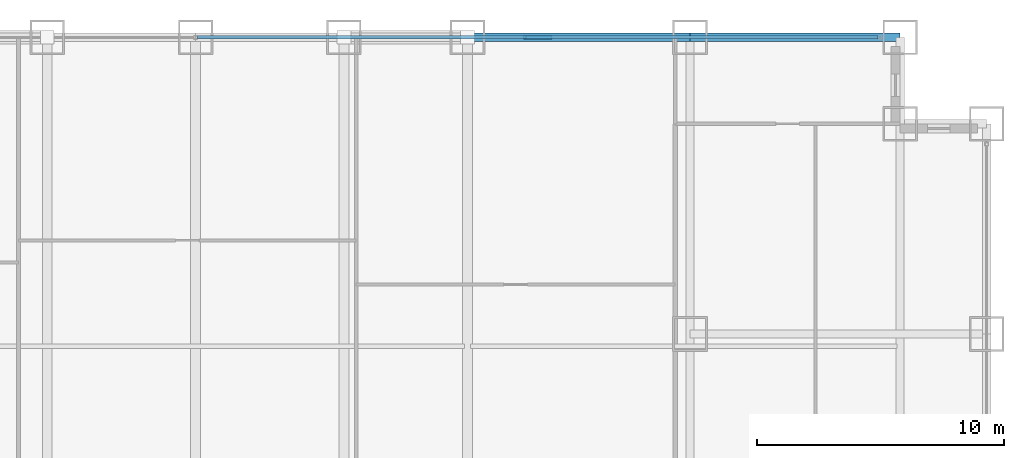
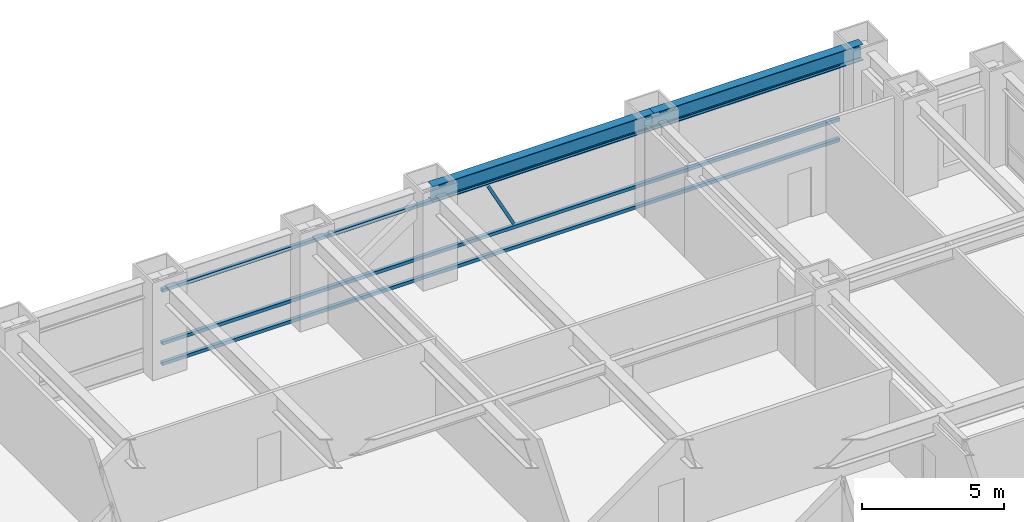
# One storey, part 20 of 28: 4 members, 2 beams, 1 element without a shape of its own.
"""IFC4 building model written with IfcOpenShell, lengths in metres."""

from ifc_helpers import new_model, si_unit, direction, frame, origin, origin_2d, place, context, subcontext, project, spatial, hollow_rectangle, i_section, extrude, source, transform, mapped, material, material_profile, profile_set, type_object, element, aggregate, save


model = new_model("IFC4")

# Units and contexts
model_context = context("Model", 3, precision=1e-05, world=origin(), true_north=direction((0.0, 1.0)))
body_context = subcontext(model_context, "Body", "Model", "MODEL_VIEW")
ifc_project = project(units=[si_unit("LENGTHUNIT", "METRE"), si_unit("AREAUNIT", "SQUARE_METRE"), si_unit("VOLUMEUNIT", "CUBIC_METRE"), si_unit("PLANEANGLEUNIT", "RADIAN"), si_unit("MASSUNIT", "GRAM", prefix="KILO")], contexts=[model_context])

# Site, building, storey
site_placement = place(None, origin())
site = spatial("IfcSite", under=ifc_project, at=site_placement, CompositionType="ELEMENT")
building_placement = place(site_placement, origin())
building = spatial("IfcBuilding", under=site, at=building_placement, Name="Khorayat Bourse Tower", CompositionType="ELEMENT")
storey_placement = place(building_placement, frame((0.0, 0.0, 83.0)))
storey = spatial("IfcBuildingStorey", under=building, at=storey_placement, Name="L18", CompositionType="ELEMENT", Elevation=83.0)

# Beams
ifc_material_1 = material(Name="Steel ASTM A992 Grade 50", Category="steel")
ifc_material_profile_1 = material_profile(ifc_material_1, i_section(OverallWidth=0.35498046875, OverallDepth=0.695068359375, WebThickness=0.015380859375, FlangeThickness=0.02490234375, FilletRadius=0.01806640625, at=origin_2d()), Name="W690X217")
ifc_profile_set_1 = profile_set([ifc_material_profile_1], Name="Steel ASTM A992 Grade 50")
beam_type = type_object("IfcBeamType", Name="BM-SPAN-690", PredefinedType="SPANDREL", material=ifc_profile_set_1)
shared_shape_1 = source(origin(), body_context, "Body", "SweptSolid", [
    extrude(i_section(OverallWidth=0.35498046875, OverallDepth=0.695068359375, WebThickness=0.015380859375, FlangeThickness=0.02490234375, FilletRadius=0.01806640625, at=origin_2d()), origin(), (0.0, 0.0, 1.0), 8.5),
])
beam_1_placement = place(storey_placement, frame((20.0, 32.0, 3.592529296875), z_axis=(1.0, 0.0, 0.0), x_axis=(0.0, 1.0, 0.0)))
element("IfcBeam", 1, at=beam_1_placement, inside=storey, type_object=beam_type, Name="L18 BM-SPAN-690 BM-L18-SPN-044", PredefinedType="SPANDREL", context=body_context, shape_type="MappedRepresentation", body=[
    mapped(shared_shape_1, transform((0.0, 0.0, 0.0), scale=1.0)),
])
shared_shape_2 = source(origin(), body_context, "Body", "SweptSolid", [
    extrude(i_section(OverallWidth=0.35498046875, OverallDepth=0.695068359375, WebThickness=0.015380859375, FlangeThickness=0.02490234375, FilletRadius=0.01806640625, at=origin_2d()), origin(), (0.0, 0.0, 1.0), 9.0),
])
beam_2_placement = place(storey_placement, frame((11.0, 32.0, 3.592529296875), z_axis=(1.0, 0.0, 0.0), x_axis=(0.0, 1.0, 0.0)))
element("IfcBeam", 2, at=beam_2_placement, inside=storey, type_object=beam_type, Name="L18 BM-SPAN-690 BM-L18-SPN-045", PredefinedType="SPANDREL", context=body_context, shape_type="MappedRepresentation", body=[
    mapped(shared_shape_2, transform((0.0, 0.0, 0.0), scale=1.0)),
])

# Curtain wall, members
ifc_material_2 = material(Name="Aluminium EN AW-6063 T6", Category="aluminium")
curtain_wall_type = type_object("IfcCurtainWallType", Name="CW-SYS-02", PredefinedType="NOTDEFINED", material=ifc_material_2)
curtain_wall_placement = place(storey_placement, origin())
curtain_wall = element("IfcCurtainWall", 3, at=curtain_wall_placement, inside=storey, type_object=curtain_wall_type, Name="L18 Curtain Wall CW-L18-N1", PredefinedType="NOTDEFINED")
ifc_material_profile_2 = material_profile(ifc_material_2, hollow_rectangle(XDim=0.1201171875, YDim=0.1201171875, WallThickness=0.0048828125, at=origin_2d()), Name="ALU 120x120x5")
ifc_profile_set_2 = profile_set([ifc_material_profile_2], Name="Aluminium EN AW-6063 T6")
member_type_1 = type_object("IfcMemberType", Name="CWM-DIAG-120", PredefinedType="MULLION", material=ifc_profile_set_2)
shared_shape_3 = source(origin(), body_context, "Body", "SweptSolid", [
    extrude(hollow_rectangle(XDim=0.1201171875, YDim=0.1201171875, WallThickness=0.0048828125, at=origin_2d()), origin(), (0.0, 0.0, 1.0), 2.22607421875),
])
member_1_placement = place(storey_placement, frame((14.3583984375, 32.0, 1.10009765625), z_axis=(-0.465759992596, 0.0, 0.884911085532), x_axis=(0.0, -1.0, 0.0)))
member_1 = element("IfcMember", 4, at=member_1_placement, type_object=member_type_1, Name="CW-L18-N1 Faceted Diagonal Mullion 2", PredefinedType="MULLION", context=body_context, shape_type="MappedRepresentation", body=[
    mapped(shared_shape_3, transform((0.0, 0.0, 0.0), scale=1.0)),
])
ifc_material_profile_3 = material_profile(ifc_material_2, hollow_rectangle(XDim=0.139892578125, YDim=0.139892578125, WallThickness=0.006103515625, at=origin_2d()), Name="ALU 140x140x6")
ifc_profile_set_3 = profile_set([ifc_material_profile_3], Name="Aluminium EN AW-6063 T6")
member_type_2 = type_object("IfcMemberType", Name="CWT-HORZ-140", PredefinedType="USERDEFINED", material=ifc_profile_set_3)
shared_shape_4 = source(origin(), body_context, "Body", "SweptSolid", [
    extrude(hollow_rectangle(XDim=0.139892578125, YDim=0.139892578125, WallThickness=0.006103515625, at=origin_2d()), origin(), (0.0, 0.0, 1.0), 27.5400390625),
])
member_2_placement = place(storey_placement, frame((0.070068359375, 32.0, 0.070068359375), z_axis=(1.0, 0.0, 0.0), x_axis=(0.0, 1.0, 0.0)))
member_2 = element("IfcMember", 5, at=member_2_placement, type_object=member_type_2, Name="CW-L18-N1 Horizontal Transom 2-1", ObjectType="TRANSOM", PredefinedType="USERDEFINED", context=body_context, shape_type="MappedRepresentation", body=[
    mapped(shared_shape_4, transform((0.0, 0.0, 0.0), scale=1.0)),
])
member_3_placement = place(storey_placement, frame((0.070068359375, 32.0, 0.949951171875), z_axis=(1.0, 0.0, 0.0), x_axis=(0.0, 1.0, 0.0)))
member_3 = element("IfcMember", 6, at=member_3_placement, type_object=member_type_2, Name="CW-L18-N1 Horizontal Transom 2-2", ObjectType="TRANSOM", PredefinedType="USERDEFINED", context=body_context, shape_type="MappedRepresentation", body=[
    mapped(shared_shape_4, transform((0.0, 0.0, 0.0), scale=1.0)),
])
member_4_placement = place(storey_placement, frame((0.070068359375, 32.0, 3.219970703125), z_axis=(1.0, 0.0, 0.0), x_axis=(0.0, 1.0, 0.0)))
member_4 = element("IfcMember", 7, at=member_4_placement, type_object=member_type_2, Name="CW-L18-N1 Horizontal Transom 2-3", ObjectType="TRANSOM", PredefinedType="USERDEFINED", context=body_context, shape_type="MappedRepresentation", body=[
    mapped(shared_shape_4, transform((0.0, 0.0, 0.0), scale=1.0)),
])
aggregate(curtain_wall, [member_2, member_3, member_4, member_1])

save(model, "model.ifc")
